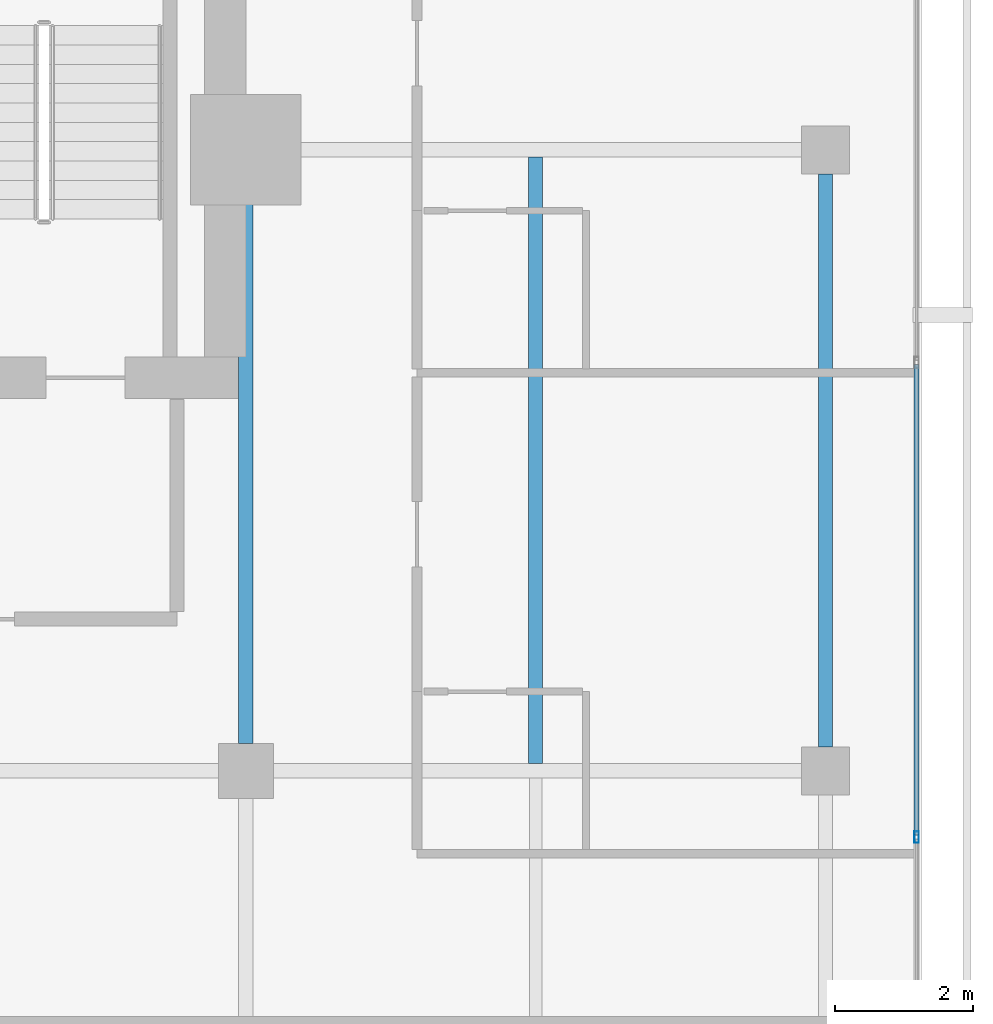
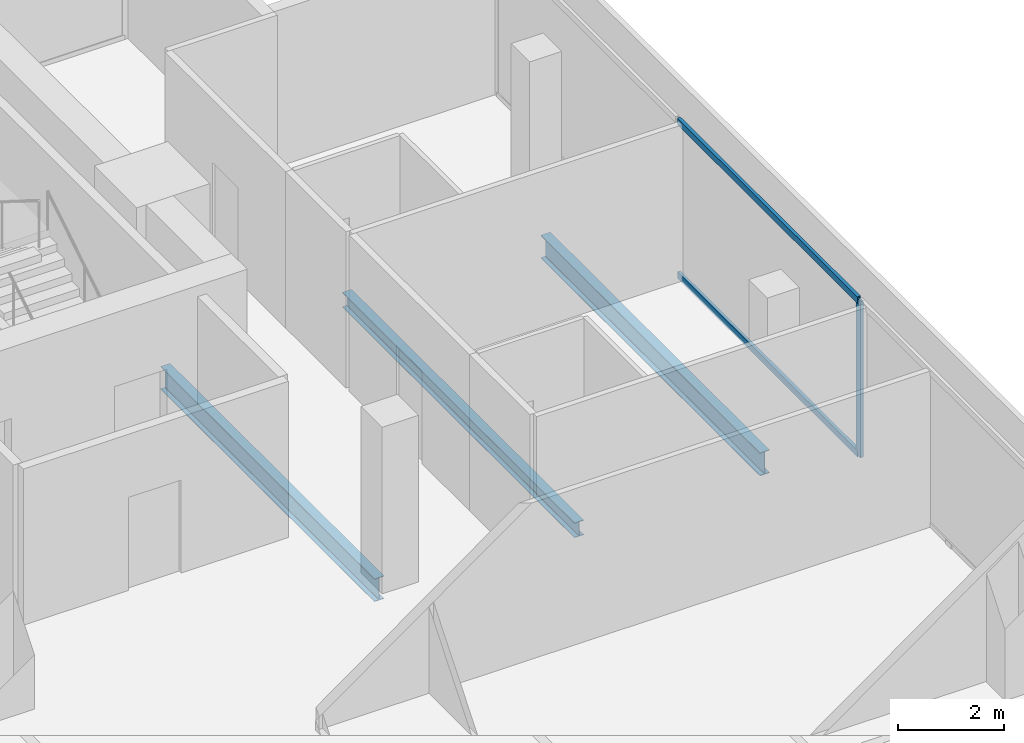
# One storey, part 15 of 26: 3 beams, 3 members, 1 element without a shape of its own.
"""IFC4 building model written with IfcOpenShell, lengths in metres."""

from ifc_helpers import new_model, si_unit, direction, frame, origin, origin_2d, place, context, subcontext, project, spatial, hollow_rectangle, i_section, extrude, material, layer, layer_set, material_profile, profile_set, type_object, element, aggregate, save


model = new_model("IFC4")

# Units and contexts
model_context = context("Model", 3, precision=1e-05, world=origin(), true_north=direction((0.0, 1.0)))
body_context = subcontext(model_context, "Body", "Model", "MODEL_VIEW")
ifc_project = project(units=[si_unit("LENGTHUNIT", "METRE"), si_unit("AREAUNIT", "SQUARE_METRE"), si_unit("VOLUMEUNIT", "CUBIC_METRE"), si_unit("PLANEANGLEUNIT", "RADIAN"), si_unit("MASSUNIT", "GRAM", prefix="KILO")], contexts=[model_context])

# Site, building, storey
site_placement = place(None, origin())
site = spatial("IfcSite", under=ifc_project, at=site_placement, CompositionType="ELEMENT")
building_placement = place(site_placement, origin())
building = spatial("IfcBuilding", under=site, at=building_placement, Name="Maruvema Waterfront Hotel and Observation Tower", CompositionType="ELEMENT")
storey_placement = place(building_placement, frame((0.0, 0.0, 254.800048828125)))
storey = spatial("IfcBuildingStorey", under=building, at=storey_placement, Name="L62", CompositionType="ELEMENT", Elevation=254.800048828125)

# Curtain wall, members
ifc_material_1 = material(Name="Anodised bronze aluminium and solar-control low-E IGU", Category="aluminium")
ifc_layer = layer(ifc_material_1, 0.159912109375, Name="Zone 3 Champagne Inner Thermal Curtain Wall System CW-04")
ifc_layer_set = layer_set([ifc_layer], Name="Anodised bronze aluminium and solar-control low-E IGU")
curtain_wall_type = type_object("IfcCurtainWallType", Name="Zone 3 Champagne Inner Thermal Curtain Wall System CW-04", PredefinedType="USERDEFINED", material=ifc_layer_set)
curtain_wall_placement = place(storey_placement, origin())
curtain_wall = element("IfcCurtainWall", 1, at=curtain_wall_placement, inside=storey, type_object=curtain_wall_type, Name="L62 Curtain Wall CW-L62-E", ObjectType="UNITISED CURTAIN WALL", PredefinedType="USERDEFINED")
ifc_material_2 = material(Name="Anodised architectural bronze aluminium", Category="aluminium")
ifc_material_profile_1 = material_profile(ifc_material_2, hollow_rectangle(XDim=0.070068359375, YDim=0.14990234375, WallThickness=0.00390625, at=origin_2d()), Name="ALU-T70x150")
ifc_profile_set_1 = profile_set([ifc_material_profile_1], Name="Anodised architectural bronze aluminium")
member_type_1 = type_object("IfcMemberType", Name="Curtain Wall Horizontal Transom ALU-T70x150", PredefinedType="USERDEFINED", material=ifc_profile_set_1)
member_1_placement = place(storey_placement, frame((60.1201171875, 35.070068359375, 0.030029296875), z_axis=(0.0, 1.0, 0.0), x_axis=(-1.0, 0.0, 0.0)))
member_1 = element("IfcMember", 2, at=member_1_placement, type_object=member_type_1, Name="CW-04 transom 4.1", ObjectType="TRANSOM", PredefinedType="USERDEFINED", context=body_context, shape_type="SweptSolid", body=[
    extrude(hollow_rectangle(XDim=0.070068359375, YDim=0.14990234375, WallThickness=0.00390625, at=origin_2d()), origin(), (0.0, 0.0, 1.0), 6.81982421875),
])
member_2_placement = place(storey_placement, frame((60.1201171875, 35.070068359375, 3.579833984375), z_axis=(0.0, 1.0, 0.0), x_axis=(-1.0, 0.0, 0.0)))
member_2 = element("IfcMember", 3, at=member_2_placement, type_object=member_type_1, Name="CW-04 transom 4.2", ObjectType="TRANSOM", PredefinedType="USERDEFINED", context=body_context, shape_type="SweptSolid", body=[
    extrude(hollow_rectangle(XDim=0.070068359375, YDim=0.14990234375, WallThickness=0.00390625, at=origin_2d()), origin(), (0.0, 0.0, 1.0), 6.81982421875),
])
ifc_material_3 = material(Name="Anodised architectural bronze aluminium", Category="aluminium")
ifc_material_profile_2 = material_profile(ifc_material_3, hollow_rectangle(XDim=0.06494140625, YDim=0.1650390625, WallThickness=0.00390625, at=origin_2d()), Name="ALU-M65x165")
ifc_profile_set_2 = profile_set([ifc_material_profile_2], Name="Anodised architectural bronze aluminium")
member_type_2 = type_object("IfcMemberType", Name="Curtain Wall Primary Mullion ALU-M65x165", PredefinedType="MULLION", material=ifc_profile_set_2)
member_3_placement = place(storey_placement, frame((60.1201171875, 35.0400390625, 0.0), z_axis=(0.0, 0.0, 1.0), x_axis=(-1.0, 0.0, 0.0)))
member_3 = element("IfcMember", 4, at=member_3_placement, type_object=member_type_2, Name="CW-04 mullion 4", PredefinedType="MULLION", context=body_context, shape_type="SweptSolid", body=[
    extrude(hollow_rectangle(XDim=0.06494140625, YDim=0.1650390625, WallThickness=0.00390625, at=origin_2d()), origin(), (0.0, 0.0, 1.0), 3.60986328125),
])
aggregate(curtain_wall, [member_3, member_1, member_2])

# Beams
ifc_material_4 = material(Name="Steel ASTM A572 Grade 50", Category="steel")
ifc_material_profile_3 = material_profile(ifc_material_4, i_section(OverallWidth=0.208984375, OverallDepth=0.532958984375, WebThickness=0.01025390625, FlangeThickness=0.015625, FilletRadius=0.014892578125, at=origin_2d()), Name="W530x92.0")
ifc_profile_set_3 = profile_set([ifc_material_profile_3], Name="Steel ASTM A572 Grade 50")
beam_type_1 = type_object("IfcBeamType", Name="Primary Floor Girder W530x92.0", PredefinedType="BEAM", material=ifc_profile_set_3)
beam_1_placement = place(storey_placement, frame((50.39990234375, 36.39990234375, -0.506591796875), z_axis=(0.0, 1.0, 0.0), x_axis=(-1.0, 0.0, 0.0)))
element("IfcBeam", 5, at=beam_1_placement, inside=storey, type_object=beam_type_1, Name="L62 Floor Girder NS-15", PredefinedType="BEAM", context=body_context, shape_type="SweptSolid", body=[
    extrude(i_section(OverallWidth=0.208984375, OverallDepth=0.532958984375, WebThickness=0.01025390625, FlangeThickness=0.015625, FilletRadius=0.014892578125, at=origin_2d()), origin(), (0.0, 0.0, 1.0), 8.10009765625),
])
beam_2_placement = place(storey_placement, frame((58.800048828125, 36.35009765625, -0.506591796875), z_axis=(0.0, 1.0, 0.0), x_axis=(-1.0, 0.0, 0.0)))
element("IfcBeam", 6, at=beam_2_placement, inside=storey, type_object=beam_type_1, Name="L62 Floor Girder NS-18", PredefinedType="BEAM", context=body_context, shape_type="SweptSolid", body=[
    extrude(i_section(OverallWidth=0.208984375, OverallDepth=0.532958984375, WebThickness=0.01025390625, FlangeThickness=0.015625, FilletRadius=0.014892578125, at=origin_2d()), origin(), (0.0, 0.0, 1.0), 8.2998046875),
])
ifc_material_5 = material(Name="Steel ASTM A572 Grade 50", Category="steel")
ifc_material_profile_4 = material_profile(ifc_material_5, i_section(OverallWidth=0.202880859375, OverallDepth=0.346923828125, WebThickness=0.0078125, FlangeThickness=0.013427734375, FilletRadius=0.014892578125, at=origin_2d()), Name="W360x64.0")
ifc_profile_set_4 = profile_set([ifc_material_profile_4], Name="Steel ASTM A572 Grade 50")
beam_type_2 = type_object("IfcBeamType", Name="Secondary Floor Joist W360x64.0", PredefinedType="JOIST", material=ifc_profile_set_4)
beam_3_placement = place(storey_placement, frame((54.60009765625, 36.1044921875, -0.41357421875), z_axis=(0.0, 1.0, 0.0), x_axis=(-1.0, 0.0, 0.0)))
element("IfcBeam", 7, at=beam_3_placement, inside=storey, type_object=beam_type_2, Name="L62 Secondary Floor Joist JS-09", PredefinedType="JOIST", context=body_context, shape_type="SweptSolid", body=[
    extrude(i_section(OverallWidth=0.202880859375, OverallDepth=0.346923828125, WebThickness=0.0078125, FlangeThickness=0.013427734375, FilletRadius=0.014892578125, at=origin_2d()), origin(), (0.0, 0.0, 1.0), 8.791015625),
])

save(model, "model.ifc")
